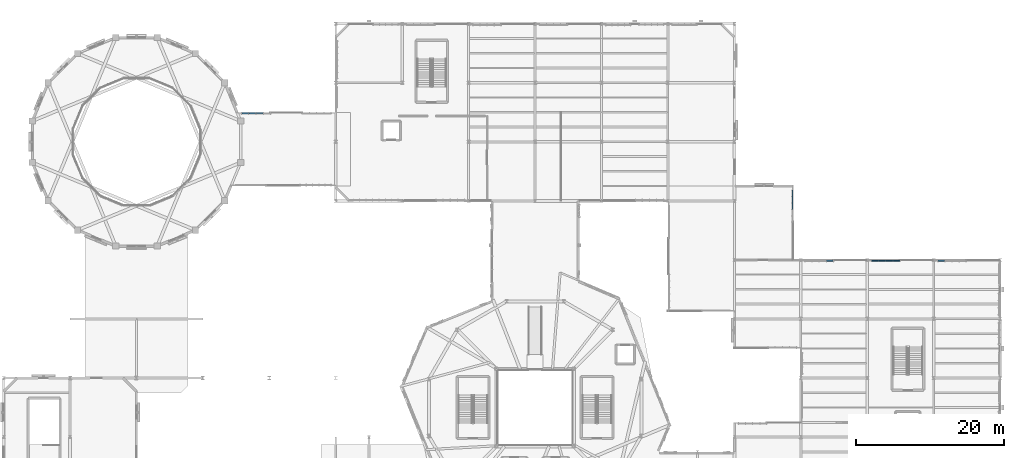
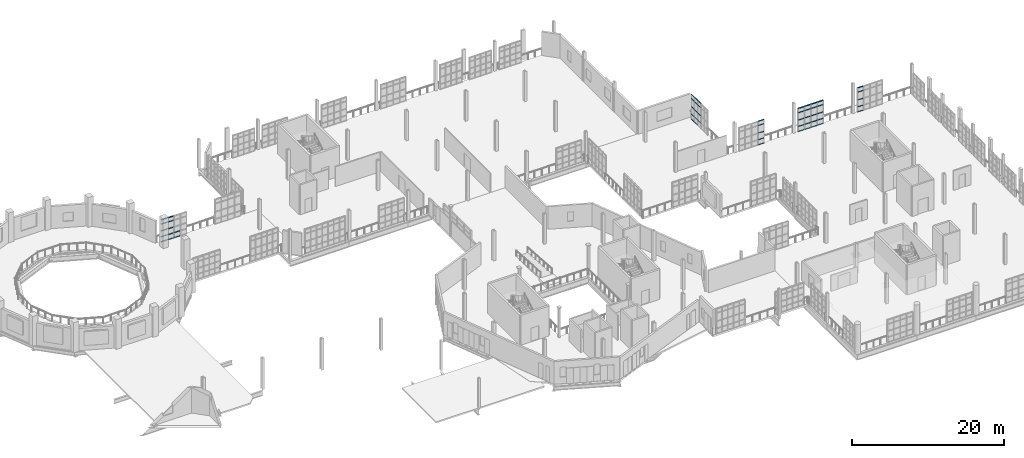
# One storey, part 69 of 122: 56 members, 5 elements without a shape of their own.
"""IFC4 building model written with IfcOpenShell, lengths in metres."""

from ifc_helpers import new_model, si_unit, direction, frame, origin, origin_2d, place, context, subcontext, project, spatial, hollow_rectangle, extrude, material, layer, layer_set, material_profile, profile_set, type_object, element, aggregate, save


model = new_model("IFC4")

# Units and contexts
model_context = context("Model", 3, precision=1e-05, world=origin(), true_north=direction((0.0, 1.0)))
body_context = subcontext(model_context, "Body", "Model", "MODEL_VIEW")
ifc_project = project(units=[si_unit("LENGTHUNIT", "METRE"), si_unit("AREAUNIT", "SQUARE_METRE"), si_unit("VOLUMEUNIT", "CUBIC_METRE"), si_unit("PLANEANGLEUNIT", "RADIAN"), si_unit("MASSUNIT", "GRAM", prefix="KILO"), si_unit("THERMODYNAMICTEMPERATUREUNIT", "KELVIN"), si_unit("POWERUNIT", "WATT")], contexts=[model_context])

# Site, building, storey
site_placement = place(None, origin())
site = spatial("IfcSite", under=ifc_project, at=site_placement, CompositionType="ELEMENT")
building_placement = place(site_placement, origin())
building = spatial("IfcBuilding", under=site, at=building_placement, Name="Zelmaris Science Centre", CompositionType="ELEMENT")
storey_placement = place(building_placement, frame((0.0, 0.0, 10.800048828125)))
storey = spatial("IfcBuildingStorey", under=building, at=storey_placement, Name="L02", CompositionType="ELEMENT", Elevation=10.800048828125)

# Curtain wall, members
ifc_material = material(Name="Anodised architectural aluminium 6063-T6", Category="aluminium")
ifc_layer_1 = layer(ifc_material, 0.219970703125, Name="Anodised architectural aluminium 6063-T6")
ifc_layer_set_1 = layer_set([ifc_layer_1], Name="Anodised architectural aluminium 6063-T6")
curtain_wall_type_1 = type_object("IfcCurtainWallType", Name="Curtain Wall CW-04", PredefinedType="USERDEFINED", material=ifc_layer_set_1)
curtain_wall_1_placement = place(storey_placement, origin())
curtain_wall_1 = element("IfcCurtainWall", 1, at=curtain_wall_1_placement, inside=storey, type_object=curtain_wall_type_1, Name="L02 Unitised curtain wall 216", ObjectType="GLAZED CURTAIN WALL", PredefinedType="USERDEFINED")
ifc_material_profile_1 = material_profile(ifc_material, hollow_rectangle(XDim=0.06005859375, YDim=0.110107421875, WallThickness=0.0029296875, at=origin_2d()), Name="ALU-TRN-60X110")
ifc_profile_set_1 = profile_set([ifc_material_profile_1], Name="Anodised architectural aluminium 6063-T6")
member_type_1 = type_object("IfcMemberType", Name="ALU-TRN-60X110", PredefinedType="USERDEFINED", material=ifc_profile_set_1)
member_1_placement = place(storey_placement, frame((115.8798828125, 65.407958984375, 0.010986328125), z_axis=(0.0, -1.0, 0.0), x_axis=(0.0, 0.0, 1.0)))
member_1 = element("IfcMember", 2, at=member_1_placement, type_object=member_type_1, Name="CW-04 transom 1.1", ObjectType="TRANSOM", PredefinedType="USERDEFINED", context=body_context, shape_type="SweptSolid", body=[
    extrude(hollow_rectangle(XDim=0.06005859375, YDim=0.110107421875, WallThickness=0.0029296875, at=origin_2d()), origin(), (0.0, 0.0, 1.0), 0.796142578125),
])
member_2_placement = place(storey_placement, frame((115.8798828125, 65.407958984375, 0.8349609375), z_axis=(0.0, -1.0, 0.0), x_axis=(0.0, 0.0, 1.0)))
member_2 = element("IfcMember", 3, at=member_2_placement, type_object=member_type_1, Name="CW-04 transom 1.2", ObjectType="TRANSOM", PredefinedType="USERDEFINED", context=body_context, shape_type="SweptSolid", body=[
    extrude(hollow_rectangle(XDim=0.06005859375, YDim=0.110107421875, WallThickness=0.0029296875, at=origin_2d()), origin(), (0.0, 0.0, 1.0), 0.796142578125),
])
member_3_placement = place(storey_placement, frame((115.8798828125, 65.407958984375, 2.00244140625), z_axis=(0.0, -1.0, 0.0), x_axis=(0.0, 0.0, 1.0)))
member_3 = element("IfcMember", 4, at=member_3_placement, type_object=member_type_1, Name="CW-04 transom 1.3", ObjectType="TRANSOM", PredefinedType="USERDEFINED", context=body_context, shape_type="SweptSolid", body=[
    extrude(hollow_rectangle(XDim=0.06005859375, YDim=0.110107421875, WallThickness=0.0029296875, at=origin_2d()), origin(), (0.0, 0.0, 1.0), 0.796142578125),
])
member_4_placement = place(storey_placement, frame((115.8798828125, 65.407958984375, 3.320068359375), z_axis=(0.0, -1.0, 0.0), x_axis=(0.0, 0.0, 1.0)))
member_4 = element("IfcMember", 5, at=member_4_placement, type_object=member_type_1, Name="CW-04 transom 1.4", ObjectType="TRANSOM", PredefinedType="USERDEFINED", context=body_context, shape_type="SweptSolid", body=[
    extrude(hollow_rectangle(XDim=0.06005859375, YDim=0.110107421875, WallThickness=0.0029296875, at=origin_2d()), origin(), (0.0, 0.0, 1.0), 0.796142578125),
])
member_5_placement = place(storey_placement, frame((115.8798828125, 65.407958984375, 3.993896484375), z_axis=(0.0, -1.0, 0.0), x_axis=(0.0, 0.0, 1.0)))
member_5 = element("IfcMember", 6, at=member_5_placement, type_object=member_type_1, Name="CW-04 transom 1.5", ObjectType="TRANSOM", PredefinedType="USERDEFINED", context=body_context, shape_type="SweptSolid", body=[
    extrude(hollow_rectangle(XDim=0.06005859375, YDim=0.110107421875, WallThickness=0.0029296875, at=origin_2d()), origin(), (0.0, 0.0, 1.0), 0.796142578125),
])
member_6_placement = place(storey_placement, frame((115.8798828125, 64.559814453125, 0.010986328125), z_axis=(0.0, -1.0, 0.0), x_axis=(0.0, 0.0, 1.0)))
member_6 = element("IfcMember", 7, at=member_6_placement, type_object=member_type_1, Name="CW-04 transom 2.1", ObjectType="TRANSOM", PredefinedType="USERDEFINED", context=body_context, shape_type="SweptSolid", body=[
    extrude(hollow_rectangle(XDim=0.06005859375, YDim=0.110107421875, WallThickness=0.0029296875, at=origin_2d()), origin(), (0.0, 0.0, 1.0), 0.82177734375),
])
member_7_placement = place(storey_placement, frame((115.8798828125, 64.559814453125, 0.8349609375), z_axis=(0.0, -1.0, 0.0), x_axis=(0.0, 0.0, 1.0)))
member_7 = element("IfcMember", 8, at=member_7_placement, type_object=member_type_1, Name="CW-04 transom 2.2", ObjectType="TRANSOM", PredefinedType="USERDEFINED", context=body_context, shape_type="SweptSolid", body=[
    extrude(hollow_rectangle(XDim=0.06005859375, YDim=0.110107421875, WallThickness=0.0029296875, at=origin_2d()), origin(), (0.0, 0.0, 1.0), 0.82177734375),
])
member_8_placement = place(storey_placement, frame((115.8798828125, 64.559814453125, 2.00244140625), z_axis=(0.0, -1.0, 0.0), x_axis=(0.0, 0.0, 1.0)))
member_8 = element("IfcMember", 9, at=member_8_placement, type_object=member_type_1, Name="CW-04 transom 2.3", ObjectType="TRANSOM", PredefinedType="USERDEFINED", context=body_context, shape_type="SweptSolid", body=[
    extrude(hollow_rectangle(XDim=0.06005859375, YDim=0.110107421875, WallThickness=0.0029296875, at=origin_2d()), origin(), (0.0, 0.0, 1.0), 0.82177734375),
])
member_9_placement = place(storey_placement, frame((115.8798828125, 64.559814453125, 3.320068359375), z_axis=(0.0, -1.0, 0.0), x_axis=(0.0, 0.0, 1.0)))
member_9 = element("IfcMember", 10, at=member_9_placement, type_object=member_type_1, Name="CW-04 transom 2.4", ObjectType="TRANSOM", PredefinedType="USERDEFINED", context=body_context, shape_type="SweptSolid", body=[
    extrude(hollow_rectangle(XDim=0.06005859375, YDim=0.110107421875, WallThickness=0.0029296875, at=origin_2d()), origin(), (0.0, 0.0, 1.0), 0.82177734375),
])
member_10_placement = place(storey_placement, frame((115.8798828125, 64.559814453125, 3.993896484375), z_axis=(0.0, -1.0, 0.0), x_axis=(0.0, 0.0, 1.0)))
member_10 = element("IfcMember", 11, at=member_10_placement, type_object=member_type_1, Name="CW-04 transom 2.5", ObjectType="TRANSOM", PredefinedType="USERDEFINED", context=body_context, shape_type="SweptSolid", body=[
    extrude(hollow_rectangle(XDim=0.06005859375, YDim=0.110107421875, WallThickness=0.0029296875, at=origin_2d()), origin(), (0.0, 0.0, 1.0), 0.82177734375),
])
member_11_placement = place(storey_placement, frame((115.8798828125, 63.68603515625, 0.8349609375), z_axis=(0.0, -1.0, 0.0), x_axis=(0.0, 0.0, 1.0)))
member_11 = element("IfcMember", 12, at=member_11_placement, type_object=member_type_1, Name="CW-04 transom 3.2", ObjectType="TRANSOM", PredefinedType="USERDEFINED", context=body_context, shape_type="SweptSolid", body=[
    extrude(hollow_rectangle(XDim=0.06005859375, YDim=0.110107421875, WallThickness=0.0029296875, at=origin_2d()), origin(), (0.0, 0.0, 1.0), 0.822021484375),
])
member_12_placement = place(storey_placement, frame((115.8798828125, 63.68603515625, 2.00244140625), z_axis=(0.0, -1.0, 0.0), x_axis=(0.0, 0.0, 1.0)))
member_12 = element("IfcMember", 13, at=member_12_placement, type_object=member_type_1, Name="CW-04 transom 3.3", ObjectType="TRANSOM", PredefinedType="USERDEFINED", context=body_context, shape_type="SweptSolid", body=[
    extrude(hollow_rectangle(XDim=0.06005859375, YDim=0.110107421875, WallThickness=0.0029296875, at=origin_2d()), origin(), (0.0, 0.0, 1.0), 0.822021484375),
])
member_13_placement = place(storey_placement, frame((115.8798828125, 63.68603515625, 3.320068359375), z_axis=(0.0, -1.0, 0.0), x_axis=(0.0, 0.0, 1.0)))
member_13 = element("IfcMember", 14, at=member_13_placement, type_object=member_type_1, Name="CW-04 transom 3.4", ObjectType="TRANSOM", PredefinedType="USERDEFINED", context=body_context, shape_type="SweptSolid", body=[
    extrude(hollow_rectangle(XDim=0.06005859375, YDim=0.110107421875, WallThickness=0.0029296875, at=origin_2d()), origin(), (0.0, 0.0, 1.0), 0.822021484375),
])
member_14_placement = place(storey_placement, frame((115.8798828125, 63.68603515625, 3.993896484375), z_axis=(0.0, -1.0, 0.0), x_axis=(0.0, 0.0, 1.0)))
member_14 = element("IfcMember", 15, at=member_14_placement, type_object=member_type_1, Name="CW-04 transom 3.5", ObjectType="TRANSOM", PredefinedType="USERDEFINED", context=body_context, shape_type="SweptSolid", body=[
    extrude(hollow_rectangle(XDim=0.06005859375, YDim=0.110107421875, WallThickness=0.0029296875, at=origin_2d()), origin(), (0.0, 0.0, 1.0), 0.822021484375),
])
aggregate(curtain_wall_1, [member_1, member_2, member_3, member_4, member_5, member_6, member_7, member_8, member_9, member_10, member_11, member_12, member_13, member_14])

curtain_wall_2_placement = place(storey_placement, origin())
curtain_wall_2 = element("IfcCurtainWall", 16, at=curtain_wall_2_placement, inside=storey, type_object=curtain_wall_type_1, Name="L02 Unitised curtain wall 220", ObjectType="GLAZED CURTAIN WALL", PredefinedType="USERDEFINED")
member_15_placement = place(storey_placement, frame((126.591796875, 55.888427734375, 0.010986328125), z_axis=(0.999999851914, -0.000544217606, 0.0), x_axis=(0.0, 0.0, 1.0)))
member_15 = element("IfcMember", 17, at=member_15_placement, type_object=member_type_1, Name="CW-04 transom 1.1", ObjectType="TRANSOM", PredefinedType="USERDEFINED", context=body_context, shape_type="SweptSolid", body=[
    extrude(hollow_rectangle(XDim=0.06005859375, YDim=0.110107421875, WallThickness=0.0029296875, at=origin_2d()), origin(), (0.0, 0.0, 1.0), 0.897216796875),
])
member_16_placement = place(storey_placement, frame((126.591796875, 55.888427734375, 0.8349609375), z_axis=(0.999999851914, -0.000544217606, 0.0), x_axis=(0.0, 0.0, 1.0)))
member_16 = element("IfcMember", 18, at=member_16_placement, type_object=member_type_1, Name="CW-04 transom 1.2", ObjectType="TRANSOM", PredefinedType="USERDEFINED", context=body_context, shape_type="SweptSolid", body=[
    extrude(hollow_rectangle(XDim=0.06005859375, YDim=0.110107421875, WallThickness=0.0029296875, at=origin_2d()), origin(), (0.0, 0.0, 1.0), 0.897216796875),
])
member_17_placement = place(storey_placement, frame((126.591796875, 55.888427734375, 1.866455078125), z_axis=(0.999999851914, -0.000544217606, 0.0), x_axis=(0.0, 0.0, 1.0)))
member_17 = element("IfcMember", 19, at=member_17_placement, type_object=member_type_1, Name="CW-04 transom 1.3", ObjectType="TRANSOM", PredefinedType="USERDEFINED", context=body_context, shape_type="SweptSolid", body=[
    extrude(hollow_rectangle(XDim=0.06005859375, YDim=0.110107421875, WallThickness=0.0029296875, at=origin_2d()), origin(), (0.0, 0.0, 1.0), 0.897216796875),
])
member_18_placement = place(storey_placement, frame((126.591796875, 55.888427734375, 3.0478515625), z_axis=(0.999999851914, -0.000544217606, 0.0), x_axis=(0.0, 0.0, 1.0)))
member_18 = element("IfcMember", 20, at=member_18_placement, type_object=member_type_1, Name="CW-04 transom 1.4", ObjectType="TRANSOM", PredefinedType="USERDEFINED", context=body_context, shape_type="SweptSolid", body=[
    extrude(hollow_rectangle(XDim=0.06005859375, YDim=0.110107421875, WallThickness=0.0029296875, at=origin_2d()), origin(), (0.0, 0.0, 1.0), 0.897216796875),
])
member_19_placement = place(storey_placement, frame((126.591796875, 55.888427734375, 3.721923828125), z_axis=(0.999999851914, -0.000544217606, 0.0), x_axis=(0.0, 0.0, 1.0)))
member_19 = element("IfcMember", 21, at=member_19_placement, type_object=member_type_1, Name="CW-04 transom 1.5", ObjectType="TRANSOM", PredefinedType="USERDEFINED", context=body_context, shape_type="SweptSolid", body=[
    extrude(hollow_rectangle(XDim=0.06005859375, YDim=0.110107421875, WallThickness=0.0029296875, at=origin_2d()), origin(), (0.0, 0.0, 1.0), 0.897216796875),
])
member_20_placement = place(storey_placement, frame((127.541015625, 55.887939453125, 0.010986328125), z_axis=(0.999999860026, -0.000529100455, 0.0), x_axis=(0.0, 0.0, 1.0)))
member_20 = element("IfcMember", 22, at=member_20_placement, type_object=member_type_1, Name="CW-04 transom 2.1", ObjectType="TRANSOM", PredefinedType="USERDEFINED", context=body_context, shape_type="SweptSolid", body=[
    extrude(hollow_rectangle(XDim=0.06005859375, YDim=0.110107421875, WallThickness=0.0029296875, at=origin_2d()), origin(), (0.0, 0.0, 1.0), 0.9228515625),
])
member_21_placement = place(storey_placement, frame((127.541015625, 55.887939453125, 0.8349609375), z_axis=(0.999999860026, -0.000529100455, 0.0), x_axis=(0.0, 0.0, 1.0)))
member_21 = element("IfcMember", 23, at=member_21_placement, type_object=member_type_1, Name="CW-04 transom 2.2", ObjectType="TRANSOM", PredefinedType="USERDEFINED", context=body_context, shape_type="SweptSolid", body=[
    extrude(hollow_rectangle(XDim=0.06005859375, YDim=0.110107421875, WallThickness=0.0029296875, at=origin_2d()), origin(), (0.0, 0.0, 1.0), 0.9228515625),
])
member_22_placement = place(storey_placement, frame((127.541015625, 55.887939453125, 1.866455078125), z_axis=(0.999999860026, -0.000529100455, 0.0), x_axis=(0.0, 0.0, 1.0)))
member_22 = element("IfcMember", 24, at=member_22_placement, type_object=member_type_1, Name="CW-04 transom 2.3", ObjectType="TRANSOM", PredefinedType="USERDEFINED", context=body_context, shape_type="SweptSolid", body=[
    extrude(hollow_rectangle(XDim=0.06005859375, YDim=0.110107421875, WallThickness=0.0029296875, at=origin_2d()), origin(), (0.0, 0.0, 1.0), 0.9228515625),
])
member_23_placement = place(storey_placement, frame((127.541015625, 55.887939453125, 3.0478515625), z_axis=(0.999999860026, -0.000529100455, 0.0), x_axis=(0.0, 0.0, 1.0)))
member_23 = element("IfcMember", 25, at=member_23_placement, type_object=member_type_1, Name="CW-04 transom 2.4", ObjectType="TRANSOM", PredefinedType="USERDEFINED", context=body_context, shape_type="SweptSolid", body=[
    extrude(hollow_rectangle(XDim=0.06005859375, YDim=0.110107421875, WallThickness=0.0029296875, at=origin_2d()), origin(), (0.0, 0.0, 1.0), 0.9228515625),
])
member_24_placement = place(storey_placement, frame((127.541015625, 55.887939453125, 3.721923828125), z_axis=(0.999999860026, -0.000529100455, 0.0), x_axis=(0.0, 0.0, 1.0)))
member_24 = element("IfcMember", 26, at=member_24_placement, type_object=member_type_1, Name="CW-04 transom 2.5", ObjectType="TRANSOM", PredefinedType="USERDEFINED", context=body_context, shape_type="SweptSolid", body=[
    extrude(hollow_rectangle(XDim=0.06005859375, YDim=0.110107421875, WallThickness=0.0029296875, at=origin_2d()), origin(), (0.0, 0.0, 1.0), 0.9228515625),
])
member_25_placement = place(storey_placement, frame((128.515869140625, 55.887451171875, 0.010986328125), z_axis=(0.999999965025, -0.000264480287, 0.0), x_axis=(0.0, 0.0, 1.0)))
member_25 = element("IfcMember", 27, at=member_25_placement, type_object=member_type_1, Name="CW-04 transom 3.1", ObjectType="TRANSOM", PredefinedType="USERDEFINED", context=body_context, shape_type="SweptSolid", body=[
    extrude(hollow_rectangle(XDim=0.06005859375, YDim=0.110107421875, WallThickness=0.0029296875, at=origin_2d()), origin(), (0.0, 0.0, 1.0), 0.923095703125),
])
member_26_placement = place(storey_placement, frame((128.515869140625, 55.887451171875, 0.8349609375), z_axis=(0.999999965025, -0.000264480287, 0.0), x_axis=(0.0, 0.0, 1.0)))
member_26 = element("IfcMember", 28, at=member_26_placement, type_object=member_type_1, Name="CW-04 transom 3.2", ObjectType="TRANSOM", PredefinedType="USERDEFINED", context=body_context, shape_type="SweptSolid", body=[
    extrude(hollow_rectangle(XDim=0.06005859375, YDim=0.110107421875, WallThickness=0.0029296875, at=origin_2d()), origin(), (0.0, 0.0, 1.0), 0.923095703125),
])
member_27_placement = place(storey_placement, frame((128.515869140625, 55.887451171875, 1.866455078125), z_axis=(0.999999965025, -0.000264480287, 0.0), x_axis=(0.0, 0.0, 1.0)))
member_27 = element("IfcMember", 29, at=member_27_placement, type_object=member_type_1, Name="CW-04 transom 3.3", ObjectType="TRANSOM", PredefinedType="USERDEFINED", context=body_context, shape_type="SweptSolid", body=[
    extrude(hollow_rectangle(XDim=0.06005859375, YDim=0.110107421875, WallThickness=0.0029296875, at=origin_2d()), origin(), (0.0, 0.0, 1.0), 0.923095703125),
])
member_28_placement = place(storey_placement, frame((128.515869140625, 55.887451171875, 3.0478515625), z_axis=(0.999999965025, -0.000264480287, 0.0), x_axis=(0.0, 0.0, 1.0)))
member_28 = element("IfcMember", 30, at=member_28_placement, type_object=member_type_1, Name="CW-04 transom 3.4", ObjectType="TRANSOM", PredefinedType="USERDEFINED", context=body_context, shape_type="SweptSolid", body=[
    extrude(hollow_rectangle(XDim=0.06005859375, YDim=0.110107421875, WallThickness=0.0029296875, at=origin_2d()), origin(), (0.0, 0.0, 1.0), 0.923095703125),
])
member_29_placement = place(storey_placement, frame((128.515869140625, 55.887451171875, 3.721923828125), z_axis=(0.999999965025, -0.000264480287, 0.0), x_axis=(0.0, 0.0, 1.0)))
member_29 = element("IfcMember", 31, at=member_29_placement, type_object=member_type_1, Name="CW-04 transom 3.5", ObjectType="TRANSOM", PredefinedType="USERDEFINED", context=body_context, shape_type="SweptSolid", body=[
    extrude(hollow_rectangle(XDim=0.06005859375, YDim=0.110107421875, WallThickness=0.0029296875, at=origin_2d()), origin(), (0.0, 0.0, 1.0), 0.923095703125),
])
member_30_placement = place(storey_placement, frame((129.490966796875, 55.886962890625, 0.010986328125), z_axis=(0.999999962958, -0.000272182897, 0.0), x_axis=(0.0, 0.0, 1.0)))
member_30 = element("IfcMember", 32, at=member_30_placement, type_object=member_type_1, Name="CW-04 transom 4.1", ObjectType="TRANSOM", PredefinedType="USERDEFINED", context=body_context, shape_type="SweptSolid", body=[
    extrude(hollow_rectangle(XDim=0.06005859375, YDim=0.110107421875, WallThickness=0.0029296875, at=origin_2d()), origin(), (0.0, 0.0, 1.0), 0.89697265625),
])
member_31_placement = place(storey_placement, frame((129.490966796875, 55.886962890625, 0.8349609375), z_axis=(0.999999962958, -0.000272182897, 0.0), x_axis=(0.0, 0.0, 1.0)))
member_31 = element("IfcMember", 33, at=member_31_placement, type_object=member_type_1, Name="CW-04 transom 4.2", ObjectType="TRANSOM", PredefinedType="USERDEFINED", context=body_context, shape_type="SweptSolid", body=[
    extrude(hollow_rectangle(XDim=0.06005859375, YDim=0.110107421875, WallThickness=0.0029296875, at=origin_2d()), origin(), (0.0, 0.0, 1.0), 0.89697265625),
])
member_32_placement = place(storey_placement, frame((129.490966796875, 55.886962890625, 1.866455078125), z_axis=(0.999999962958, -0.000272182897, 0.0), x_axis=(0.0, 0.0, 1.0)))
member_32 = element("IfcMember", 34, at=member_32_placement, type_object=member_type_1, Name="CW-04 transom 4.3", ObjectType="TRANSOM", PredefinedType="USERDEFINED", context=body_context, shape_type="SweptSolid", body=[
    extrude(hollow_rectangle(XDim=0.06005859375, YDim=0.110107421875, WallThickness=0.0029296875, at=origin_2d()), origin(), (0.0, 0.0, 1.0), 0.89697265625),
])
member_33_placement = place(storey_placement, frame((129.490966796875, 55.886962890625, 3.0478515625), z_axis=(0.999999962958, -0.000272182897, 0.0), x_axis=(0.0, 0.0, 1.0)))
member_33 = element("IfcMember", 35, at=member_33_placement, type_object=member_type_1, Name="CW-04 transom 4.4", ObjectType="TRANSOM", PredefinedType="USERDEFINED", context=body_context, shape_type="SweptSolid", body=[
    extrude(hollow_rectangle(XDim=0.06005859375, YDim=0.110107421875, WallThickness=0.0029296875, at=origin_2d()), origin(), (0.0, 0.0, 1.0), 0.89697265625),
])
member_34_placement = place(storey_placement, frame((129.490966796875, 55.886962890625, 3.721923828125), z_axis=(0.999999962958, -0.000272182897, 0.0), x_axis=(0.0, 0.0, 1.0)))
member_34 = element("IfcMember", 36, at=member_34_placement, type_object=member_type_1, Name="CW-04 transom 4.5", ObjectType="TRANSOM", PredefinedType="USERDEFINED", context=body_context, shape_type="SweptSolid", body=[
    extrude(hollow_rectangle(XDim=0.06005859375, YDim=0.110107421875, WallThickness=0.0029296875, at=origin_2d()), origin(), (0.0, 0.0, 1.0), 0.89697265625),
])
aggregate(curtain_wall_2, [member_15, member_16, member_17, member_18, member_19, member_20, member_21, member_22, member_23, member_24, member_25, member_26, member_27, member_28, member_29, member_30, member_31, member_32, member_33, member_34])

ifc_layer_2 = layer(ifc_material, 0.199951171875, Name="Anodised architectural aluminium 6063-T6")
ifc_layer_set_2 = layer_set([ifc_layer_2], Name="Anodised architectural aluminium 6063-T6")
curtain_wall_type_2 = type_object("IfcCurtainWallType", Name="Curtain Wall CW-02", PredefinedType="USERDEFINED", material=ifc_layer_set_2)
curtain_wall_3_placement = place(storey_placement, origin())
curtain_wall_3 = element("IfcCurtainWall", 37, at=curtain_wall_3_placement, inside=storey, type_object=curtain_wall_type_2, Name="L02 Unitised curtain wall 218", ObjectType="GLAZED CURTAIN WALL", PredefinedType="USERDEFINED")
ifc_material_profile_2 = material_profile(ifc_material, hollow_rectangle(XDim=0.074951171875, YDim=0.159912109375, WallThickness=0.00390625, at=origin_2d()), Name="ALU-TRN-75X160")
ifc_profile_set_2 = profile_set([ifc_material_profile_2], Name="Anodised architectural aluminium 6063-T6")
member_type_2 = type_object("IfcMemberType", Name="ALU-TRN-75X160", PredefinedType="USERDEFINED", material=ifc_profile_set_2)
member_35_placement = place(storey_placement, frame((120.498291015625, 55.891357421875, 0.0185546875), z_axis=(0.999999961031, -0.000279173635, 0.0), x_axis=(0.0, 0.0, 1.0)))
member_35 = element("IfcMember", 38, at=member_35_placement, type_object=member_type_2, Name="CW-02 transom 4.1", ObjectType="TRANSOM", PredefinedType="USERDEFINED", context=body_context, shape_type="SweptSolid", body=[
    extrude(hollow_rectangle(XDim=0.074951171875, YDim=0.159912109375, WallThickness=0.00390625, at=origin_2d()), origin(), (0.0, 0.0, 1.0), 0.87451171875),
])
member_36_placement = place(storey_placement, frame((120.498291015625, 55.891357421875, 0.8349609375), z_axis=(0.999999961031, -0.000279173635, 0.0), x_axis=(0.0, 0.0, 1.0)))
member_36 = element("IfcMember", 39, at=member_36_placement, type_object=member_type_2, Name="CW-02 transom 4.2", ObjectType="TRANSOM", PredefinedType="USERDEFINED", context=body_context, shape_type="SweptSolid", body=[
    extrude(hollow_rectangle(XDim=0.074951171875, YDim=0.159912109375, WallThickness=0.00390625, at=origin_2d()), origin(), (0.0, 0.0, 1.0), 0.87451171875),
])
member_37_placement = place(storey_placement, frame((120.498291015625, 55.891357421875, 1.8984375), z_axis=(0.999999961031, -0.000279173635, 0.0), x_axis=(0.0, 0.0, 1.0)))
member_37 = element("IfcMember", 40, at=member_37_placement, type_object=member_type_2, Name="CW-02 transom 4.3", ObjectType="TRANSOM", PredefinedType="USERDEFINED", context=body_context, shape_type="SweptSolid", body=[
    extrude(hollow_rectangle(XDim=0.074951171875, YDim=0.159912109375, WallThickness=0.00390625, at=origin_2d()), origin(), (0.0, 0.0, 1.0), 0.87451171875),
])
member_38_placement = place(storey_placement, frame((120.498291015625, 55.891357421875, 3.112060546875), z_axis=(0.999999961031, -0.000279173635, 0.0), x_axis=(0.0, 0.0, 1.0)))
member_38 = element("IfcMember", 41, at=member_38_placement, type_object=member_type_2, Name="CW-02 transom 4.4", ObjectType="TRANSOM", PredefinedType="USERDEFINED", context=body_context, shape_type="SweptSolid", body=[
    extrude(hollow_rectangle(XDim=0.074951171875, YDim=0.159912109375, WallThickness=0.00390625, at=origin_2d()), origin(), (0.0, 0.0, 1.0), 0.87451171875),
])
member_39_placement = place(storey_placement, frame((120.498291015625, 55.891357421875, 3.778564453125), z_axis=(0.999999961031, -0.000279173635, 0.0), x_axis=(0.0, 0.0, 1.0)))
member_39 = element("IfcMember", 42, at=member_39_placement, type_object=member_type_2, Name="CW-02 transom 4.5", ObjectType="TRANSOM", PredefinedType="USERDEFINED", context=body_context, shape_type="SweptSolid", body=[
    extrude(hollow_rectangle(XDim=0.074951171875, YDim=0.159912109375, WallThickness=0.00390625, at=origin_2d()), origin(), (0.0, 0.0, 1.0), 0.87451171875),
])
aggregate(curtain_wall_3, [member_35, member_36, member_37, member_38, member_39])

curtain_wall_4_placement = place(storey_placement, origin())
curtain_wall_4 = element("IfcCurtainWall", 43, at=curtain_wall_4_placement, inside=storey, type_object=curtain_wall_type_2, Name="L02 Unitised curtain wall 222", ObjectType="GLAZED CURTAIN WALL", PredefinedType="USERDEFINED")
member_40_placement = place(storey_placement, frame((135.60693359375, 55.884033203125, 0.0185546875), z_axis=(0.999999844124, -0.000558347205, 0.0), x_axis=(0.0, 0.0, 1.0)))
member_40 = element("IfcMember", 44, at=member_40_placement, type_object=member_type_2, Name="CW-02 transom 1.1", ObjectType="TRANSOM", PredefinedType="USERDEFINED", context=body_context, shape_type="SweptSolid", body=[
    extrude(hollow_rectangle(XDim=0.074951171875, YDim=0.159912109375, WallThickness=0.00390625, at=origin_2d()), origin(), (0.0, 0.0, 1.0), 0.87451171875),
])
member_41_placement = place(storey_placement, frame((135.60693359375, 55.884033203125, 0.8349609375), z_axis=(0.999999844124, -0.000558347205, 0.0), x_axis=(0.0, 0.0, 1.0)))
member_41 = element("IfcMember", 45, at=member_41_placement, type_object=member_type_2, Name="CW-02 transom 1.2", ObjectType="TRANSOM", PredefinedType="USERDEFINED", context=body_context, shape_type="SweptSolid", body=[
    extrude(hollow_rectangle(XDim=0.074951171875, YDim=0.159912109375, WallThickness=0.00390625, at=origin_2d()), origin(), (0.0, 0.0, 1.0), 0.87451171875),
])
member_42_placement = place(storey_placement, frame((135.60693359375, 55.884033203125, 1.93896484375), z_axis=(0.999999844124, -0.000558347205, 0.0), x_axis=(0.0, 0.0, 1.0)))
member_42 = element("IfcMember", 46, at=member_42_placement, type_object=member_type_2, Name="CW-02 transom 1.3", ObjectType="TRANSOM", PredefinedType="USERDEFINED", context=body_context, shape_type="SweptSolid", body=[
    extrude(hollow_rectangle(XDim=0.074951171875, YDim=0.159912109375, WallThickness=0.00390625, at=origin_2d()), origin(), (0.0, 0.0, 1.0), 0.87451171875),
])
member_43_placement = place(storey_placement, frame((135.60693359375, 55.884033203125, 3.19287109375), z_axis=(0.999999844124, -0.000558347205, 0.0), x_axis=(0.0, 0.0, 1.0)))
member_43 = element("IfcMember", 47, at=member_43_placement, type_object=member_type_2, Name="CW-02 transom 1.4", ObjectType="TRANSOM", PredefinedType="USERDEFINED", context=body_context, shape_type="SweptSolid", body=[
    extrude(hollow_rectangle(XDim=0.074951171875, YDim=0.159912109375, WallThickness=0.00390625, at=origin_2d()), origin(), (0.0, 0.0, 1.0), 0.87451171875),
])
member_44_placement = place(storey_placement, frame((135.60693359375, 55.884033203125, 3.859375), z_axis=(0.999999844124, -0.000558347205, 0.0), x_axis=(0.0, 0.0, 1.0)))
member_44 = element("IfcMember", 48, at=member_44_placement, type_object=member_type_2, Name="CW-02 transom 1.5", ObjectType="TRANSOM", PredefinedType="USERDEFINED", context=body_context, shape_type="SweptSolid", body=[
    extrude(hollow_rectangle(XDim=0.074951171875, YDim=0.159912109375, WallThickness=0.00390625, at=origin_2d()), origin(), (0.0, 0.0, 1.0), 0.87451171875),
])
aggregate(curtain_wall_4, [member_40, member_41, member_42, member_43, member_44])

ifc_layer_3 = layer(ifc_material, 0.18994140625, Name="Anodised architectural aluminium 6063-T6")
ifc_layer_set_3 = layer_set([ifc_layer_3], Name="Anodised architectural aluminium 6063-T6")
curtain_wall_type_3 = type_object("IfcCurtainWallType", Name="Curtain Wall CW-01", PredefinedType="USERDEFINED", material=ifc_layer_set_3)
curtain_wall_5_placement = place(storey_placement, origin())
curtain_wall_5 = element("IfcCurtainWall", 49, at=curtain_wall_5_placement, inside=storey, type_object=curtain_wall_type_3, Name="L02 Unitised curtain wall 201", ObjectType="GLAZED CURTAIN WALL", PredefinedType="USERDEFINED")
ifc_material_profile_3 = material_profile(ifc_material, hollow_rectangle(XDim=0.080078125, YDim=0.18994140625, WallThickness=0.00439453125, at=origin_2d()), Name="ALU-TRN-80X190")
ifc_profile_set_3 = profile_set([ifc_material_profile_3], Name="Anodised architectural aluminium 6063-T6")
member_type_3 = type_object("IfcMemberType", Name="ALU-TRN-80X190", PredefinedType="USERDEFINED", material=ifc_profile_set_3)
member_45_placement = place(storey_placement, frame((41.264892578125, 75.882568359375, 0.02099609375), z_axis=(0.999999962304, -0.000274574399, 0.0), x_axis=(0.0, 0.0, 1.0)))
member_45 = element("IfcMember", 50, at=member_45_placement, type_object=member_type_3, Name="CW-01 transom 1.1", ObjectType="TRANSOM", PredefinedType="USERDEFINED", context=body_context, shape_type="SweptSolid", body=[
    extrude(hollow_rectangle(XDim=0.080078125, YDim=0.18994140625, WallThickness=0.00439453125, at=origin_2d()), origin(), (0.0, 0.0, 1.0), 0.88916015625),
])
member_46_placement = place(storey_placement, frame((41.264892578125, 75.882568359375, 0.8349609375), z_axis=(0.999999962304, -0.000274574399, 0.0), x_axis=(0.0, 0.0, 1.0)))
member_46 = element("IfcMember", 51, at=member_46_placement, type_object=member_type_3, Name="CW-01 transom 1.2", ObjectType="TRANSOM", PredefinedType="USERDEFINED", context=body_context, shape_type="SweptSolid", body=[
    extrude(hollow_rectangle(XDim=0.080078125, YDim=0.18994140625, WallThickness=0.00439453125, at=origin_2d()), origin(), (0.0, 0.0, 1.0), 0.88916015625),
])
member_47_placement = place(storey_placement, frame((41.264892578125, 75.882568359375, 1.77490234375), z_axis=(0.999999962304, -0.000274574399, 0.0), x_axis=(0.0, 0.0, 1.0)))
member_47 = element("IfcMember", 52, at=member_47_placement, type_object=member_type_3, Name="CW-01 transom 1.3", ObjectType="TRANSOM", PredefinedType="USERDEFINED", context=body_context, shape_type="SweptSolid", body=[
    extrude(hollow_rectangle(XDim=0.080078125, YDim=0.18994140625, WallThickness=0.00439453125, at=origin_2d()), origin(), (0.0, 0.0, 1.0), 0.88916015625),
])
member_48_placement = place(storey_placement, frame((41.264892578125, 75.882568359375, 2.864990234375), z_axis=(0.999999962304, -0.000274574399, 0.0), x_axis=(0.0, 0.0, 1.0)))
member_48 = element("IfcMember", 53, at=member_48_placement, type_object=member_type_3, Name="CW-01 transom 1.4", ObjectType="TRANSOM", PredefinedType="USERDEFINED", context=body_context, shape_type="SweptSolid", body=[
    extrude(hollow_rectangle(XDim=0.080078125, YDim=0.18994140625, WallThickness=0.00439453125, at=origin_2d()), origin(), (0.0, 0.0, 1.0), 0.88916015625),
])
member_49_placement = place(storey_placement, frame((41.264892578125, 75.882568359375, 3.529052734375), z_axis=(0.999999962304, -0.000274574399, 0.0), x_axis=(0.0, 0.0, 1.0)))
member_49 = element("IfcMember", 54, at=member_49_placement, type_object=member_type_3, Name="CW-01 transom 1.5", ObjectType="TRANSOM", PredefinedType="USERDEFINED", context=body_context, shape_type="SweptSolid", body=[
    extrude(hollow_rectangle(XDim=0.080078125, YDim=0.18994140625, WallThickness=0.00439453125, at=origin_2d()), origin(), (0.0, 0.0, 1.0), 0.88916015625),
])
member_50_placement = place(storey_placement, frame((42.22607421875, 75.88232421875, 0.02099609375), z_axis=(0.999999965191, -0.000263852234, 0.0), x_axis=(0.0, 0.0, 1.0)))
member_50 = element("IfcMember", 55, at=member_50_placement, type_object=member_type_3, Name="CW-01 transom 2.1", ObjectType="TRANSOM", PredefinedType="USERDEFINED", context=body_context, shape_type="SweptSolid", body=[
    extrude(hollow_rectangle(XDim=0.080078125, YDim=0.18994140625, WallThickness=0.00439453125, at=origin_2d()), origin(), (0.0, 0.0, 1.0), 0.92529296875),
])
member_51_placement = place(storey_placement, frame((42.22607421875, 75.88232421875, 0.8349609375), z_axis=(0.999999965191, -0.000263852234, 0.0), x_axis=(0.0, 0.0, 1.0)))
member_51 = element("IfcMember", 56, at=member_51_placement, type_object=member_type_3, Name="CW-01 transom 2.2", ObjectType="TRANSOM", PredefinedType="USERDEFINED", context=body_context, shape_type="SweptSolid", body=[
    extrude(hollow_rectangle(XDim=0.080078125, YDim=0.18994140625, WallThickness=0.00439453125, at=origin_2d()), origin(), (0.0, 0.0, 1.0), 0.92529296875),
])
member_52_placement = place(storey_placement, frame((42.22607421875, 75.88232421875, 1.77490234375), z_axis=(0.999999965191, -0.000263852234, 0.0), x_axis=(0.0, 0.0, 1.0)))
member_52 = element("IfcMember", 57, at=member_52_placement, type_object=member_type_3, Name="CW-01 transom 2.3", ObjectType="TRANSOM", PredefinedType="USERDEFINED", context=body_context, shape_type="SweptSolid", body=[
    extrude(hollow_rectangle(XDim=0.080078125, YDim=0.18994140625, WallThickness=0.00439453125, at=origin_2d()), origin(), (0.0, 0.0, 1.0), 0.92529296875),
])
member_53_placement = place(storey_placement, frame((42.22607421875, 75.88232421875, 2.864990234375), z_axis=(0.999999965191, -0.000263852234, 0.0), x_axis=(0.0, 0.0, 1.0)))
member_53 = element("IfcMember", 58, at=member_53_placement, type_object=member_type_3, Name="CW-01 transom 2.4", ObjectType="TRANSOM", PredefinedType="USERDEFINED", context=body_context, shape_type="SweptSolid", body=[
    extrude(hollow_rectangle(XDim=0.080078125, YDim=0.18994140625, WallThickness=0.00439453125, at=origin_2d()), origin(), (0.0, 0.0, 1.0), 0.92529296875),
])
member_54_placement = place(storey_placement, frame((42.22607421875, 75.88232421875, 3.529052734375), z_axis=(0.999999965191, -0.000263852234, 0.0), x_axis=(0.0, 0.0, 1.0)))
member_54 = element("IfcMember", 59, at=member_54_placement, type_object=member_type_3, Name="CW-01 transom 2.5", ObjectType="TRANSOM", PredefinedType="USERDEFINED", context=body_context, shape_type="SweptSolid", body=[
    extrude(hollow_rectangle(XDim=0.080078125, YDim=0.18994140625, WallThickness=0.00439453125, at=origin_2d()), origin(), (0.0, 0.0, 1.0), 0.92529296875),
])
member_55_placement = place(storey_placement, frame((43.223388671875, 75.882080078125, 0.02099609375), z_axis=(0.999999965173, -0.00026392187, 0.0), x_axis=(0.0, 0.0, 1.0)))
member_55 = element("IfcMember", 60, at=member_55_placement, type_object=member_type_3, Name="CW-01 transom 3.1", ObjectType="TRANSOM", PredefinedType="USERDEFINED", context=body_context, shape_type="SweptSolid", body=[
    extrude(hollow_rectangle(XDim=0.080078125, YDim=0.18994140625, WallThickness=0.00439453125, at=origin_2d()), origin(), (0.0, 0.0, 1.0), 0.925048828125),
])
member_56_placement = place(storey_placement, frame((43.223388671875, 75.882080078125, 0.8349609375), z_axis=(0.999999965173, -0.00026392187, 0.0), x_axis=(0.0, 0.0, 1.0)))
member_56 = element("IfcMember", 61, at=member_56_placement, type_object=member_type_3, Name="CW-01 transom 3.2", ObjectType="TRANSOM", PredefinedType="USERDEFINED", context=body_context, shape_type="SweptSolid", body=[
    extrude(hollow_rectangle(XDim=0.080078125, YDim=0.18994140625, WallThickness=0.00439453125, at=origin_2d()), origin(), (0.0, 0.0, 1.0), 0.925048828125),
])
aggregate(curtain_wall_5, [member_45, member_46, member_47, member_48, member_49, member_50, member_51, member_52, member_53, member_54, member_55, member_56])

save(model, "model.ifc")
